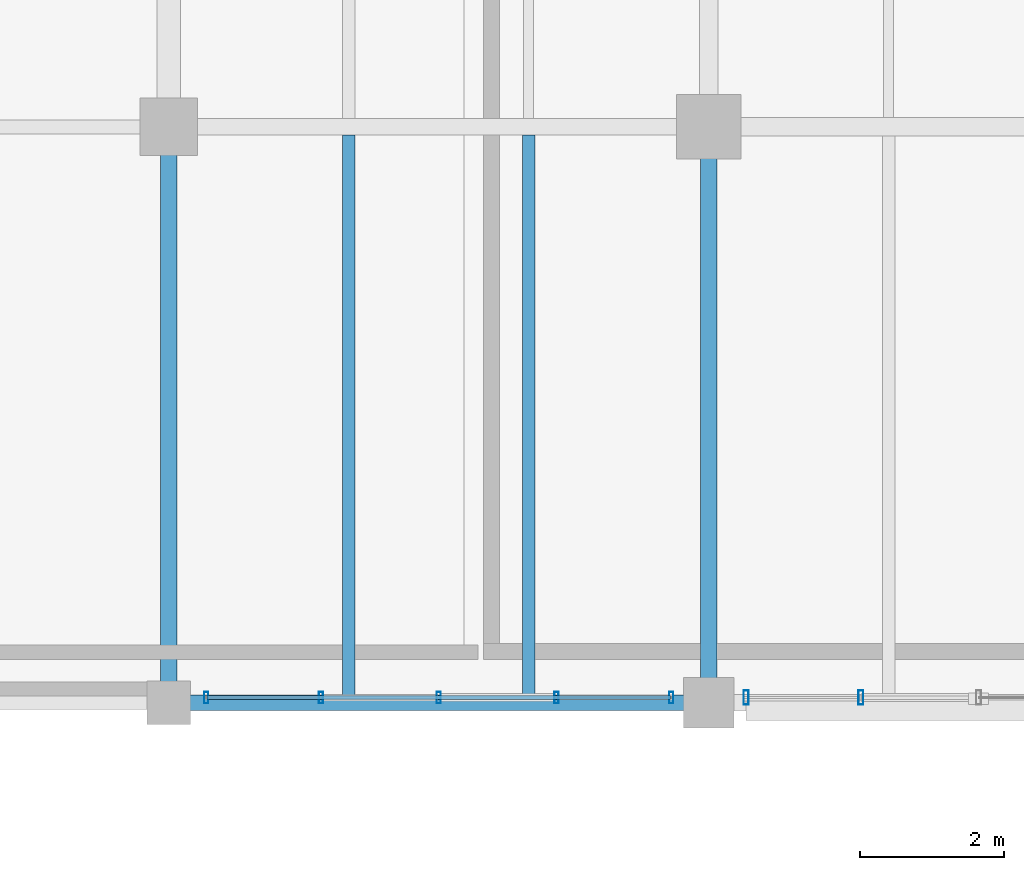
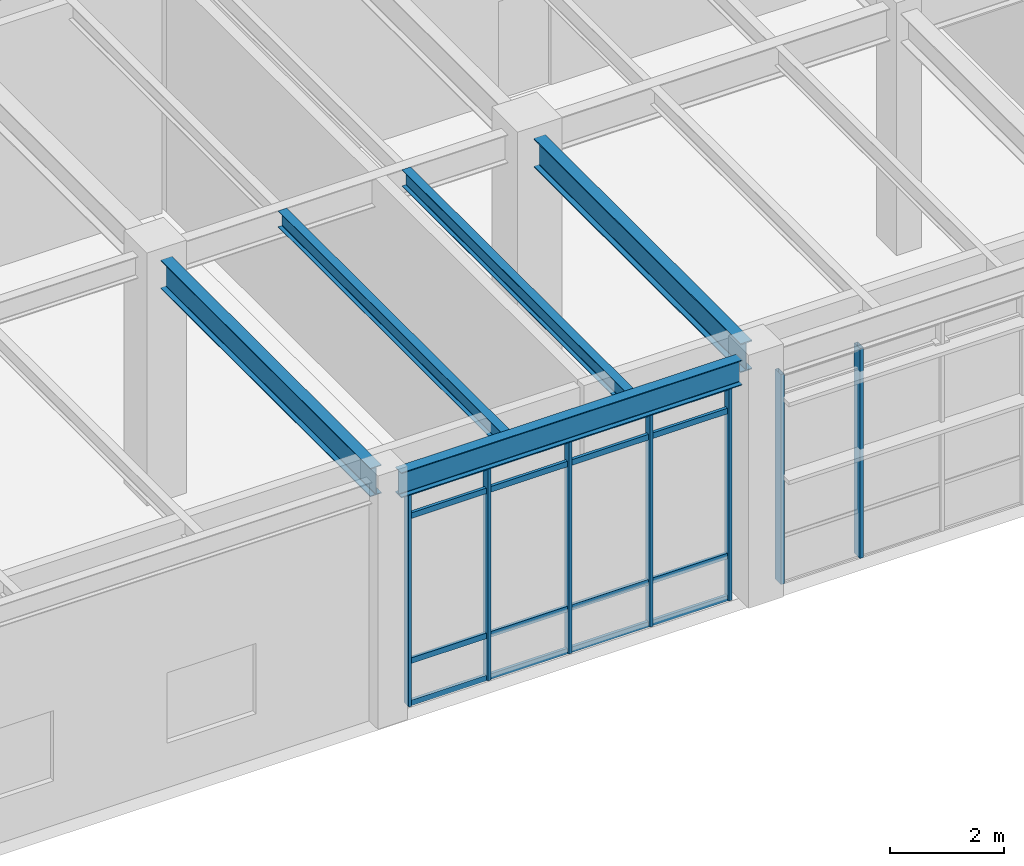
# One storey, part 63 of 203: 11 members, 5 beams, 2 elements without a shape of their own.
"""IFC4 building model written with IfcOpenShell, lengths in metres."""

import ifcopenshell
import ifcopenshell.guid

model = None  # the IFC model being written
_history = None  # IfcOwnerHistory: only IFC2X3 demands one
_inside = {}  # id of a spatial element -> (the spatial element, [elements in it])
_under = {}  # id of a project, library or spatial element -> (it, [spatial elements below it])
_declared = {}  # id of a project -> (the project, [libraries it declares])
_typed = {}  # id of a type object -> (the type object, [elements of that type])
_made_of = {}  # id of a material, layer set ... -> (it, [elements and type objects made of it])


def new_model(schema):
    """Start an empty IFC model of exactly this schema.

    Asked for "IFC4X3", IfcOpenShell would pick the latest addendum, in which some entities
    have other attributes; the version numbers below select the first issue.
    IFC2X3 requires an IfcOwnerHistory on every rooted entity: one is made here for all.
    """
    global model, _history
    if schema == "IFC4X3":
        model = ifcopenshell.file(schema_version=(4, 3, 0, 0))
    else:
        model = ifcopenshell.file(schema=schema)
    _inside.clear()
    _under.clear()
    _declared.clear()
    _typed.clear()
    _made_of.clear()
    _history = None
    if model.schema == "IFC2X3":
        org = make("IfcOrganization", Name="unknown")
        user = make(
            "IfcPersonAndOrganization",
            ThePerson=make("IfcPerson", FamilyName="unknown"),
            TheOrganization=org,
        )
        app = make(
            "IfcApplication",
            ApplicationDeveloper=org,
            Version="unknown",
            ApplicationFullName="unknown",
            ApplicationIdentifier="unknown",
        )
        _history = make(
            "IfcOwnerHistory",
            OwningUser=user,
            OwningApplication=app,
            ChangeAction="ADDED",
            CreationDate=0,
        )
    return model


def make(cls, **values):
    """One entity of the class cls with the attributes given. An attribute that is None is left unset."""
    return model.create_entity(
        cls, **{name: value for name, value in values.items() if value is not None}
    )


def rooted(cls, **values):
    """An entity with a GlobalId (a new one), such as an element, a storey or a relation."""
    return make(cls, GlobalId=ifcopenshell.guid.new(), OwnerHistory=_history, **values)


def si_unit(unit_type, name, prefix=None):
    """IfcSIUnit, for example si_unit("LENGTHUNIT", "METRE", prefix="MILLI")."""
    return make("IfcSIUnit", UnitType=unit_type, Prefix=prefix, Name=name)


def assignment(units):
    """IfcUnitAssignment: the units of a project."""
    return None if units is None else make("IfcUnitAssignment", Units=units)


def point(xyz):
    """IfcCartesianPoint."""
    return None if xyz is None else make("IfcCartesianPoint", Coordinates=xyz)


def direction(xyz):
    """IfcDirection."""
    return None if xyz is None else make("IfcDirection", DirectionRatios=xyz)


def frame(location, z_axis=None, x_axis=None):
    """IfcAxis2Placement3D, a coordinate frame: its origin and axes. An axis left out is left unset."""
    return make(
        "IfcAxis2Placement3D",
        Location=point(location),
        Axis=direction(z_axis),
        RefDirection=direction(x_axis),
    )


def frame_2d(location, x_axis=None):
    """IfcAxis2Placement2D, a coordinate frame in the plane: its origin and x axis."""
    return make(
        "IfcAxis2Placement2D", Location=point(location), RefDirection=direction(x_axis)
    )


def origin():
    """The frame at (0, 0, 0) with its axes left unset."""
    return frame((0.0, 0.0, 0.0))


def origin_2d():
    """The frame at (0, 0) in the plane with its x axis left unset."""
    return frame_2d((0.0, 0.0))


def place(relative_to, where):
    """IfcLocalPlacement: puts the frame where relative to a parent placement (None: the world)."""
    return make(
        "IfcLocalPlacement", PlacementRelTo=relative_to, RelativePlacement=where
    )


def context(
    kind, dimensions, precision=None, world=None, true_north=None, identifier=None
):
    """IfcGeometricRepresentationContext, for example the 3D "Model" context."""
    return make(
        "IfcGeometricRepresentationContext",
        ContextIdentifier=identifier,
        ContextType=kind,
        CoordinateSpaceDimension=dimensions,
        Precision=precision,
        WorldCoordinateSystem=world,
        TrueNorth=true_north,
    )


def subcontext(parent, identifier, kind, view, scale=None):
    """IfcGeometricRepresentationSubContext, for example "Body" below "Model"."""
    return make(
        "IfcGeometricRepresentationSubContext",
        ContextIdentifier=identifier,
        ContextType=kind,
        ParentContext=parent,
        TargetScale=scale,
        TargetView=view,
    )


def project(units=None, contexts=None):
    """IfcProject with its units and contexts."""
    return rooted(
        "IfcProject",
        Name="project",
        RepresentationContexts=contexts,
        UnitsInContext=assignment(units),
    )


def spatial(cls, under=None, at=None, **own):
    """A site, building, storey or space (cls), placed at a placement, below another one or the project."""
    s = rooted(cls, ObjectPlacement=at, **own)
    if under is not None:
        _under.setdefault(under.id(), (under, []))[1].append(s)
    return s


def profile(cls, at=None, kind="AREA", **sizes):
    """A parametric profile (cls). Its sizes go by their IFC names, for example OverallWidth=200.0."""
    return make(cls, ProfileType=kind, Position=at, **sizes)


def hollow_rectangle(**sizes):
    """IfcRectangleHollowProfileDef."""
    return profile("IfcRectangleHollowProfileDef", **sizes)


def i_section(**sizes):
    """IfcIShapeProfileDef."""
    return profile("IfcIShapeProfileDef", **sizes)


def extrude(swept, where, along, depth):
    """IfcExtrudedAreaSolid: the profile swept, set in the frame where, extruded along a direction by depth."""
    return make(
        "IfcExtrudedAreaSolid",
        SweptArea=swept,
        Position=where,
        ExtrudedDirection=direction(along),
        Depth=depth,
    )


def shape(context_of_items, identifier, shape_type, items):
    """IfcShapeRepresentation: the items that make up one representation, for example the "Body"."""
    return make(
        "IfcShapeRepresentation",
        ContextOfItems=context_of_items,
        RepresentationIdentifier=identifier,
        RepresentationType=shape_type,
        Items=items,
    )


def material(Name=None, Category=None):
    """IfcMaterial."""
    return make("IfcMaterial", Name=Name, Category=Category)


def material_profile(
    of_material, cross_section, Name=None, Category=None, Priority=None
):
    """IfcMaterialProfile: a cross section and its material."""
    return make(
        "IfcMaterialProfile",
        Name=Name,
        Material=of_material,
        Profile=cross_section,
        Priority=Priority,
        Category=Category,
    )


def profile_set(profiles, Name=None, composite=None):
    """IfcMaterialProfileSet."""
    return make(
        "IfcMaterialProfileSet",
        Name=Name,
        MaterialProfiles=profiles,
        CompositeProfile=composite,
    )


def made_of(thing, what):
    """Note that an element or type object is made of a material, layer set ...; save() writes the relation."""
    if what is not None:
        _made_of.setdefault(what.id(), (what, []))[1].append(thing)
    return thing


def type_object(cls, material=None, **own):
    """A type object (cls), such as IfcWallType, which elements share."""
    return made_of(rooted(cls, **own), material)


def element(
    cls,
    number,
    at=None,
    inside=None,
    cuts=None,
    type_object=None,
    material=None,
    context=None,
    identifier="Body",
    shape_type=None,
    held_by="IfcProductDefinitionShape",
    body=None,
    shapes=None,
    **own,
):
    """One element of the class cls, such as IfcWall. Its Tag is "e" and its number.

    at: its placement. inside: the storey or other place that contains it. cuts: it is an
    opening in that element (IfcRelVoidsElement). A single representation is given by context,
    identifier, shape_type and body (its items); several are given by shapes. held_by: the class
    of the entity that holds the representations. save() writes the other relations.
    """
    e = rooted(cls, Tag="e%d" % number, ObjectPlacement=at, **own)
    if body is not None:
        shapes = [shape(context, identifier, shape_type, body)]
    if shapes is not None:
        e.Representation = make(held_by, Representations=shapes)
    if inside is not None:
        _inside.setdefault(inside.id(), (inside, []))[1].append(e)
    if cuts is not None:
        rooted(
            "IfcRelVoidsElement", RelatingBuildingElement=cuts, RelatedOpeningElement=e
        )
    if type_object is not None:
        _typed.setdefault(type_object.id(), (type_object, []))[1].append(e)
    return made_of(e, material)


def aggregate(whole, parts):
    """IfcRelAggregates: a whole, such as a stair, and the parts it consists of."""
    return rooted("IfcRelAggregates", RelatingObject=whole, RelatedObjects=parts)


def save(model, path):
    """Write the relations noted so far, then the file.

    IfcRelAggregates (storeys below a building ...), IfcRelContainedInSpatialStructure (elements
    in a storey), IfcRelDefinesByType, IfcRelAssociatesMaterial and IfcRelDeclares: one each for
    every whole, place, type object, material and project.
    """
    for whole, parts in _under.values():
        aggregate(whole, parts)
    for where, things in _inside.values():
        rooted(
            "IfcRelContainedInSpatialStructure",
            RelatedElements=things,
            RelatingStructure=where,
        )
    for kind, things in _typed.values():
        rooted("IfcRelDefinesByType", RelatedObjects=things, RelatingType=kind)
    for what, things in _made_of.values():
        rooted("IfcRelAssociatesMaterial", RelatedObjects=things, RelatingMaterial=what)
    for by, libraries in _declared.values():
        rooted("IfcRelDeclares", RelatingContext=by, RelatedDefinitions=libraries)
    model.write(path)


model = new_model("IFC4")

# Units and contexts
model_context = context("Model", 3, precision=1e-05, world=origin(), true_north=direction((0.0, 1.0)))
body_context = subcontext(model_context, "Body", "Model", "MODEL_VIEW")
ifc_project = project(units=[si_unit("LENGTHUNIT", "METRE"), si_unit("AREAUNIT", "SQUARE_METRE"), si_unit("VOLUMEUNIT", "CUBIC_METRE"), si_unit("PLANEANGLEUNIT", "RADIAN"), si_unit("MASSUNIT", "GRAM", prefix="KILO"), si_unit("THERMODYNAMICTEMPERATUREUNIT", "KELVIN"), si_unit("POWERUNIT", "WATT")], contexts=[model_context])

# Site, building, storey
site_placement = place(None, origin())
site = spatial("IfcSite", under=ifc_project, at=site_placement, CompositionType="ELEMENT")
building_placement = place(site_placement, origin())
building = spatial("IfcBuilding", under=site, at=building_placement, Name="Tepalcoro Natatorium and Aquatics Centre", CompositionType="ELEMENT")
storey_placement = place(building_placement, origin())
storey = spatial("IfcBuildingStorey", under=building, at=storey_placement, Name="L00", CompositionType="ELEMENT", Elevation=0.0)

# Beams
ifc_material_1 = material(Name="Steel ASTM A992 Grade 50 (Fy 345 MPa)", Category="steel")
ifc_material_profile_1 = material_profile(ifc_material_1, i_section(OverallWidth=0.22802734375, OverallDepth=0.60693359375, WebThickness=0.010986328125, FlangeThickness=0.01708984375, FilletRadius=0.013916015625, at=origin_2d()), Name="W24X76")
ifc_profile_set_1 = profile_set([ifc_material_profile_1], Name="Steel ASTM A992 Grade 50 (Fy 345 MPa)")
beam_type_1 = type_object("IfcBeamType", Name="BM_W24x76", PredefinedType="BEAM", material=ifc_profile_set_1)
beam_1_placement = place(storey_placement, frame((21.0, 86.284912109375, 4.841552734375), z_axis=(0.0, 1.0, 0.0), x_axis=(-1.0, 0.0, 0.0)))
element("IfcBeam", 1, at=beam_1_placement, inside=storey, type_object=beam_type_1, Name="V4 L00 Grid Girder Y", PredefinedType="BEAM", context=body_context, shape_type="SweptSolid", body=[
    extrude(i_section(OverallWidth=0.22802734375, OverallDepth=0.60693359375, WebThickness=0.010986328125, FlangeThickness=0.01708984375, FilletRadius=0.013916015625, at=origin_2d()), origin(), (0.0, 0.0, 1.0), 7.330078125),
])
ifc_material_profile_2 = material_profile(ifc_material_1, i_section(OverallWidth=0.22998046875, OverallDepth=0.616943359375, WebThickness=0.012939453125, FlangeThickness=0.02197265625, FilletRadius=0.013916015625, at=origin_2d()), Name="W24X94")
ifc_profile_set_2 = profile_set([ifc_material_profile_2], Name="Steel ASTM A992 Grade 50 (Fy 345 MPa)")
beam_type_2 = type_object("IfcBeamType", Name="BM_W24x94", PredefinedType="BEAM", material=ifc_profile_set_2)
beam_2_placement = place(storey_placement, frame((28.5, 86.3349609375, 4.83642578125), z_axis=(0.0, 1.0, 0.0), x_axis=(-1.0, 0.0, 0.0)))
element("IfcBeam", 2, at=beam_2_placement, inside=storey, type_object=beam_type_2, Name="V4 L00 Grid Girder Y", PredefinedType="BEAM", context=body_context, shape_type="SweptSolid", body=[
    extrude(i_section(OverallWidth=0.22998046875, OverallDepth=0.616943359375, WebThickness=0.012939453125, FlangeThickness=0.02197265625, FilletRadius=0.013916015625, at=origin_2d()), origin(), (0.0, 0.0, 1.0), 7.22998046875),
])

# Curtain wall, members
ifc_material_2 = material(Name="Bronze-Anodised Extruded Aluminium Alloy EN AW-6063 T6", Category="aluminium")
curtain_wall_type_1 = type_object("IfcCurtainWallType", Name="CW_V3_FOYER", PredefinedType="USERDEFINED", material=ifc_material_2)
curtain_wall_1_placement = place(storey_placement, origin())
curtain_wall_1 = element("IfcCurtainWall", 3, at=curtain_wall_1_placement, inside=storey, type_object=curtain_wall_type_1, Name="V4 L00 S Unitised Curtain Wall Bay 2", ObjectType="UNITISED STOREFRONT", PredefinedType="USERDEFINED")
ifc_material_profile_3 = material_profile(ifc_material_2, hollow_rectangle(XDim=0.06005859375, YDim=0.159912109375, WallThickness=0.00390625, at=origin_2d()), Name="AL60X160X4")
ifc_profile_set_3 = profile_set([ifc_material_profile_3], Name="Bronze-Anodised Extruded Aluminium Alloy EN AW-6063 T6")
member_type_1 = type_object("IfcMemberType", Name="CW_MUL_60x160", PredefinedType="MULLION", material=ifc_profile_set_3)
member_1_placement = place(storey_placement, frame((21.52001953125, 86.0712890625, 0.02001953125), z_axis=(0.0, 0.0, 1.0), x_axis=(1.0, 0.0, 0.0)))
member_1 = element("IfcMember", 4, at=member_1_placement, type_object=member_type_1, Name="CW_V3_FOYER Curtain Wall Mullion", PredefinedType="MULLION", context=body_context, shape_type="SweptSolid", body=[
    extrude(hollow_rectangle(XDim=0.06005859375, YDim=0.159912109375, WallThickness=0.00390625, at=origin_2d()), origin(), (0.0, 0.0, 1.0), 4.553955078125),
])
member_2_placement = place(storey_placement, frame((23.114990234375, 86.0712890625, 0.02001953125), z_axis=(0.0, 0.0, 1.0), x_axis=(1.0, 0.0, 0.0)))
member_2 = element("IfcMember", 5, at=member_2_placement, type_object=member_type_1, Name="CW_V3_FOYER Curtain Wall Mullion", PredefinedType="MULLION", context=body_context, shape_type="SweptSolid", body=[
    extrude(hollow_rectangle(XDim=0.06005859375, YDim=0.159912109375, WallThickness=0.00390625, at=origin_2d()), origin(), (0.0, 0.0, 1.0), 4.553955078125),
])
member_3_placement = place(storey_placement, frame((24.75, 86.0712890625, 0.02001953125), z_axis=(0.0, 0.0, 1.0), x_axis=(1.0, 0.0, 0.0)))
member_3 = element("IfcMember", 6, at=member_3_placement, type_object=member_type_1, Name="CW_V3_FOYER Curtain Wall Mullion", PredefinedType="MULLION", context=body_context, shape_type="SweptSolid", body=[
    extrude(hollow_rectangle(XDim=0.06005859375, YDim=0.159912109375, WallThickness=0.00390625, at=origin_2d()), origin(), (0.0, 0.0, 1.0), 4.553955078125),
])
member_4_placement = place(storey_placement, frame((26.385009765625, 86.0712890625, 0.02001953125), z_axis=(0.0, 0.0, 1.0), x_axis=(1.0, 0.0, 0.0)))
member_4 = element("IfcMember", 7, at=member_4_placement, type_object=member_type_1, Name="CW_V3_FOYER Curtain Wall Mullion", PredefinedType="MULLION", context=body_context, shape_type="SweptSolid", body=[
    extrude(hollow_rectangle(XDim=0.06005859375, YDim=0.159912109375, WallThickness=0.00390625, at=origin_2d()), origin(), (0.0, 0.0, 1.0), 4.553955078125),
])
member_5_placement = place(storey_placement, frame((27.97998046875, 86.0712890625, 0.02001953125), z_axis=(0.0, 0.0, 1.0), x_axis=(1.0, 0.0, 0.0)))
member_5 = element("IfcMember", 8, at=member_5_placement, type_object=member_type_1, Name="CW_V3_FOYER Curtain Wall Mullion", PredefinedType="MULLION", context=body_context, shape_type="SweptSolid", body=[
    extrude(hollow_rectangle(XDim=0.06005859375, YDim=0.159912109375, WallThickness=0.00390625, at=origin_2d()), origin(), (0.0, 0.0, 1.0), 4.553955078125),
])

curtain_wall_type_2 = type_object("IfcCurtainWallType", Name="CW_V4_VILLAGE", PredefinedType="USERDEFINED", material=ifc_material_2)
curtain_wall_2_placement = place(storey_placement, origin())
curtain_wall_2 = element("IfcCurtainWall", 9, at=curtain_wall_2_placement, inside=storey, type_object=curtain_wall_type_2, Name="V4 L00 S Unitised Curtain Wall Bay 3", ObjectType="UNITISED STOREFRONT", PredefinedType="USERDEFINED")
ifc_material_profile_4 = material_profile(ifc_material_2, hollow_rectangle(XDim=0.070068359375, YDim=0.199951171875, WallThickness=0.0048828125, at=origin_2d()), Name="AL70X200X5")
ifc_profile_set_4 = profile_set([ifc_material_profile_4], Name="Bronze-Anodised Extruded Aluminium Alloy EN AW-6063 T6")
member_type_2 = type_object("IfcMemberType", Name="CW_MUL_70x200", PredefinedType="MULLION", material=ifc_profile_set_4)
member_6_placement = place(storey_placement, frame((29.02001953125, 86.0712890625, 0.02001953125), z_axis=(0.0, 0.0, 1.0), x_axis=(1.0, 0.0, 0.0)))
member_6 = element("IfcMember", 10, at=member_6_placement, type_object=member_type_2, Name="CW_V4_VILLAGE Curtain Wall Mullion", PredefinedType="MULLION", context=body_context, shape_type="SweptSolid", body=[
    extrude(hollow_rectangle(XDim=0.070068359375, YDim=0.199951171875, WallThickness=0.0048828125, at=origin_2d()), origin(), (0.0, 0.0, 1.0), 4.47802734375),
])
member_7_placement = place(storey_placement, frame((30.614990234375, 86.0712890625, 0.02001953125), z_axis=(0.0, 0.0, 1.0), x_axis=(1.0, 0.0, 0.0)))
member_7 = element("IfcMember", 11, at=member_7_placement, type_object=member_type_2, Name="CW_V4_VILLAGE Curtain Wall Mullion", PredefinedType="MULLION", context=body_context, shape_type="SweptSolid", body=[
    extrude(hollow_rectangle(XDim=0.070068359375, YDim=0.199951171875, WallThickness=0.0048828125, at=origin_2d()), origin(), (0.0, 0.0, 1.0), 4.47802734375),
])
aggregate(curtain_wall_2, [member_6, member_7])

# Member
ifc_material_profile_5 = material_profile(ifc_material_2, hollow_rectangle(XDim=0.06005859375, YDim=0.1201171875, WallThickness=0.00390625, at=origin_2d()), Name="AL60X120X4")
ifc_profile_set_5 = profile_set([ifc_material_profile_5], Name="Bronze-Anodised Extruded Aluminium Alloy EN AW-6063 T6")
member_type_3 = type_object("IfcMemberType", Name="CW_TRN_60x120", PredefinedType="USERDEFINED", material=ifc_profile_set_5)
member_8_placement = place(storey_placement, frame((21.530029296875, 86.0712890625, 0.050048828125), z_axis=(1.0, 0.0, 0.0), x_axis=(0.0, 1.0, 0.0)))
member_8 = element("IfcMember", 12, at=member_8_placement, type_object=member_type_3, Name="CW_V3_FOYER Curtain Wall Transom", ObjectType="TRANSOM", PredefinedType="USERDEFINED", context=body_context, shape_type="SweptSolid", body=[
    extrude(hollow_rectangle(XDim=0.06005859375, YDim=0.1201171875, WallThickness=0.00390625, at=origin_2d()), origin(), (0.0, 0.0, 1.0), 6.43994140625),
])

member_9_placement = place(storey_placement, frame((21.530029296875, 86.0712890625, 0.949951171875), z_axis=(1.0, 0.0, 0.0), x_axis=(0.0, 1.0, 0.0)))
member_9 = element("IfcMember", 13, at=member_9_placement, type_object=member_type_3, Name="CW_V3_FOYER Curtain Wall Transom", ObjectType="TRANSOM", PredefinedType="USERDEFINED", context=body_context, shape_type="SweptSolid", body=[
    extrude(hollow_rectangle(XDim=0.06005859375, YDim=0.1201171875, WallThickness=0.00390625, at=origin_2d()), origin(), (0.0, 0.0, 1.0), 6.43994140625),
])

member_10_placement = place(storey_placement, frame((21.530029296875, 86.0712890625, 4.0439453125), z_axis=(1.0, 0.0, 0.0), x_axis=(0.0, 1.0, 0.0)))
member_10 = element("IfcMember", 14, at=member_10_placement, type_object=member_type_3, Name="CW_V3_FOYER Curtain Wall Transom", ObjectType="TRANSOM", PredefinedType="USERDEFINED", context=body_context, shape_type="SweptSolid", body=[
    extrude(hollow_rectangle(XDim=0.06005859375, YDim=0.1201171875, WallThickness=0.00390625, at=origin_2d()), origin(), (0.0, 0.0, 1.0), 6.43994140625),
])

member_11_placement = place(storey_placement, frame((21.530029296875, 86.0712890625, 4.5439453125), z_axis=(1.0, 0.0, 0.0), x_axis=(0.0, 1.0, 0.0)))
member_11 = element("IfcMember", 15, at=member_11_placement, type_object=member_type_3, Name="CW_V3_FOYER Curtain Wall Transom", ObjectType="TRANSOM", PredefinedType="USERDEFINED", context=body_context, shape_type="SweptSolid", body=[
    extrude(hollow_rectangle(XDim=0.06005859375, YDim=0.1201171875, WallThickness=0.00390625, at=origin_2d()), origin(), (0.0, 0.0, 1.0), 6.43994140625),
])

aggregate(curtain_wall_1, [member_1, member_2, member_3, member_4, member_5, member_8, member_9, member_10, member_11])

# Beams
ifc_material_profile_6 = material_profile(ifc_material_1, i_section(OverallWidth=0.1708984375, OverallDepth=0.35107421875, WebThickness=0.007080078125, FlangeThickness=0.010009765625, FilletRadius=0.013916015625, at=origin_2d()), Name="W14X30")
ifc_profile_set_6 = profile_set([ifc_material_profile_6], Name="Steel ASTM A992 Grade 50 (Fy 345 MPa)")
beam_type_3 = type_object("IfcBeamType", Name="JS_W14x30", PredefinedType="JOIST", material=ifc_profile_set_6)
beam_3_placement = place(storey_placement, frame((23.5, 86.10498046875, 4.969482421875), z_axis=(0.0, 1.0, 0.0), x_axis=(-1.0, 0.0, 0.0)))
element("IfcBeam", 16, at=beam_3_placement, inside=storey, type_object=beam_type_3, Name="V4 L00 Floor Joist", PredefinedType="JOIST", context=body_context, shape_type="SweptSolid", body=[
    extrude(i_section(OverallWidth=0.1708984375, OverallDepth=0.35107421875, WebThickness=0.007080078125, FlangeThickness=0.010009765625, FilletRadius=0.013916015625, at=origin_2d()), origin(), (0.0, 0.0, 1.0), 7.781005859375),
])
ifc_material_profile_7 = material_profile(ifc_material_1, i_section(OverallWidth=0.172119140625, OverallDepth=0.35791015625, WebThickness=0.008056640625, FlangeThickness=0.012939453125, FilletRadius=0.013916015625, at=origin_2d()), Name="W14X38")
ifc_profile_set_7 = profile_set([ifc_material_profile_7], Name="Steel ASTM A992 Grade 50 (Fy 345 MPa)")
beam_type_4 = type_object("IfcBeamType", Name="JS_W14x38", PredefinedType="JOIST", material=ifc_profile_set_7)
beam_4_placement = place(storey_placement, frame((26.0, 86.10498046875, 4.966064453125), z_axis=(0.0, 1.0, 0.0), x_axis=(-1.0, 0.0, 0.0)))
element("IfcBeam", 17, at=beam_4_placement, inside=storey, type_object=beam_type_4, Name="V4 L00 Floor Joist", PredefinedType="JOIST", context=body_context, shape_type="SweptSolid", body=[
    extrude(i_section(OverallWidth=0.172119140625, OverallDepth=0.35791015625, WebThickness=0.008056640625, FlangeThickness=0.012939453125, FilletRadius=0.013916015625, at=origin_2d()), origin(), (0.0, 0.0, 1.0), 7.781005859375),
])
ifc_material_profile_8 = material_profile(ifc_material_1, i_section(OverallWidth=0.2099609375, OverallDepth=0.535888671875, WebThickness=0.010986328125, FlangeThickness=0.01708984375, FilletRadius=0.013916015625, at=origin_2d()), Name="W21X68")
ifc_profile_set_8 = profile_set([ifc_material_profile_8], Name="Steel ASTM A992 Grade 50 (Fy 345 MPa)")
beam_type_5 = type_object("IfcBeamType", Name="SP_W21x68", PredefinedType="SPANDREL", material=ifc_profile_set_8)
beam_5_placement = place(storey_placement, frame((21.284912109375, 86.0, 4.876953125), z_axis=(1.0, 0.0, 0.0), x_axis=(0.0, 1.0, 0.0)))
element("IfcBeam", 18, at=beam_5_placement, inside=storey, type_object=beam_type_5, Name="V4 L00 Grid Girder X", PredefinedType="SPANDREL", context=body_context, shape_type="SweptSolid", body=[
    extrude(i_section(OverallWidth=0.2099609375, OverallDepth=0.535888671875, WebThickness=0.010986328125, FlangeThickness=0.01708984375, FilletRadius=0.013916015625, at=origin_2d()), origin(), (0.0, 0.0, 1.0), 6.880126953125),
])

save(model, "model.ifc")
